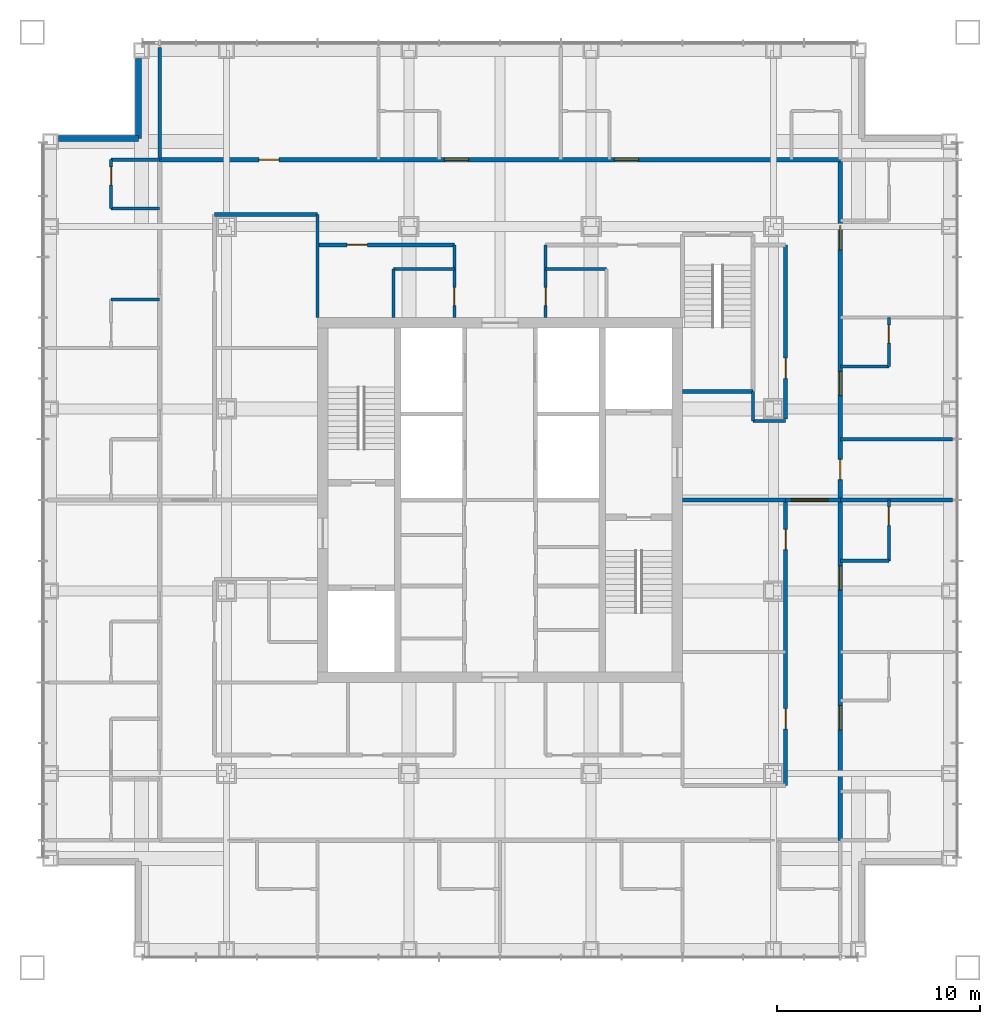
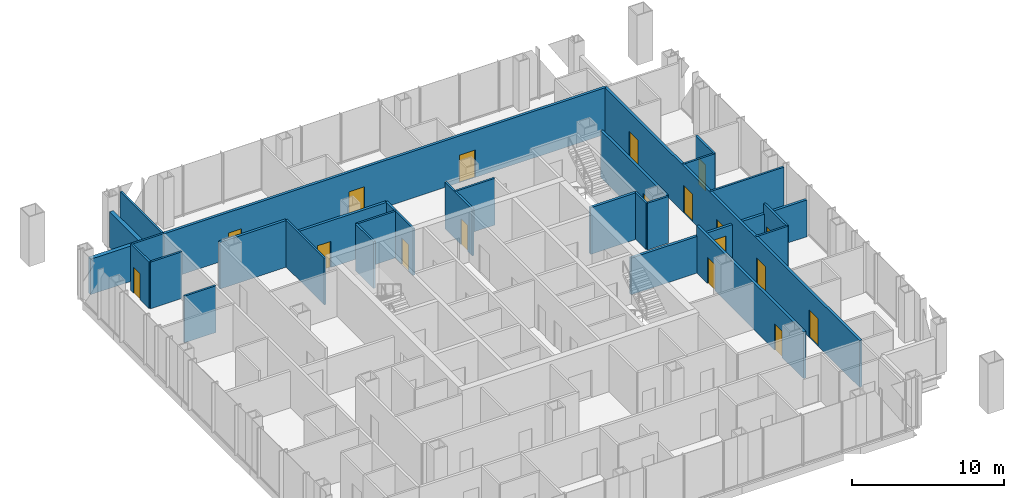
# One storey, part 9 of 15: 30 walls, 18 doors, 18 openings.
"""IFC4 building model written with IfcOpenShell, lengths in metres."""

import ifcopenshell
import ifcopenshell.guid

model = None  # the IFC model being written
_history = None  # IfcOwnerHistory: only IFC2X3 demands one
_inside = {}  # id of a spatial element -> (the spatial element, [elements in it])
_under = {}  # id of a project, library or spatial element -> (it, [spatial elements below it])
_declared = {}  # id of a project -> (the project, [libraries it declares])
_typed = {}  # id of a type object -> (the type object, [elements of that type])
_made_of = {}  # id of a material, layer set ... -> (it, [elements and type objects made of it])


def new_model(schema):
    """Start an empty IFC model of exactly this schema.

    Asked for "IFC4X3", IfcOpenShell would pick the latest addendum, in which some entities
    have other attributes; the version numbers below select the first issue.
    IFC2X3 requires an IfcOwnerHistory on every rooted entity: one is made here for all.
    """
    global model, _history
    if schema == "IFC4X3":
        model = ifcopenshell.file(schema_version=(4, 3, 0, 0))
    else:
        model = ifcopenshell.file(schema=schema)
    _inside.clear()
    _under.clear()
    _declared.clear()
    _typed.clear()
    _made_of.clear()
    _history = None
    if model.schema == "IFC2X3":
        org = make("IfcOrganization", Name="unknown")
        user = make(
            "IfcPersonAndOrganization",
            ThePerson=make("IfcPerson", FamilyName="unknown"),
            TheOrganization=org,
        )
        app = make(
            "IfcApplication",
            ApplicationDeveloper=org,
            Version="unknown",
            ApplicationFullName="unknown",
            ApplicationIdentifier="unknown",
        )
        _history = make(
            "IfcOwnerHistory",
            OwningUser=user,
            OwningApplication=app,
            ChangeAction="ADDED",
            CreationDate=0,
        )
    return model


def make(cls, **values):
    """One entity of the class cls with the attributes given. An attribute that is None is left unset."""
    return model.create_entity(
        cls, **{name: value for name, value in values.items() if value is not None}
    )


def rooted(cls, **values):
    """An entity with a GlobalId (a new one), such as an element, a storey or a relation."""
    return make(cls, GlobalId=ifcopenshell.guid.new(), OwnerHistory=_history, **values)


def si_unit(unit_type, name, prefix=None):
    """IfcSIUnit, for example si_unit("LENGTHUNIT", "METRE", prefix="MILLI")."""
    return make("IfcSIUnit", UnitType=unit_type, Prefix=prefix, Name=name)


def assignment(units):
    """IfcUnitAssignment: the units of a project."""
    return None if units is None else make("IfcUnitAssignment", Units=units)


def point(xyz):
    """IfcCartesianPoint."""
    return None if xyz is None else make("IfcCartesianPoint", Coordinates=xyz)


def direction(xyz):
    """IfcDirection."""
    return None if xyz is None else make("IfcDirection", DirectionRatios=xyz)


def frame(location, z_axis=None, x_axis=None):
    """IfcAxis2Placement3D, a coordinate frame: its origin and axes. An axis left out is left unset."""
    return make(
        "IfcAxis2Placement3D",
        Location=point(location),
        Axis=direction(z_axis),
        RefDirection=direction(x_axis),
    )


def frame_2d(location, x_axis=None):
    """IfcAxis2Placement2D, a coordinate frame in the plane: its origin and x axis."""
    return make(
        "IfcAxis2Placement2D", Location=point(location), RefDirection=direction(x_axis)
    )


def origin():
    """The frame at (0, 0, 0) with its axes left unset."""
    return frame((0.0, 0.0, 0.0))


def place(relative_to, where):
    """IfcLocalPlacement: puts the frame where relative to a parent placement (None: the world)."""
    return make(
        "IfcLocalPlacement", PlacementRelTo=relative_to, RelativePlacement=where
    )


def context(
    kind, dimensions, precision=None, world=None, true_north=None, identifier=None
):
    """IfcGeometricRepresentationContext, for example the 3D "Model" context."""
    return make(
        "IfcGeometricRepresentationContext",
        ContextIdentifier=identifier,
        ContextType=kind,
        CoordinateSpaceDimension=dimensions,
        Precision=precision,
        WorldCoordinateSystem=world,
        TrueNorth=true_north,
    )


def subcontext(parent, identifier, kind, view, scale=None):
    """IfcGeometricRepresentationSubContext, for example "Body" below "Model"."""
    return make(
        "IfcGeometricRepresentationSubContext",
        ContextIdentifier=identifier,
        ContextType=kind,
        ParentContext=parent,
        TargetScale=scale,
        TargetView=view,
    )


def project(units=None, contexts=None):
    """IfcProject with its units and contexts."""
    return rooted(
        "IfcProject",
        Name="project",
        RepresentationContexts=contexts,
        UnitsInContext=assignment(units),
    )


def spatial(cls, under=None, at=None, **own):
    """A site, building, storey or space (cls), placed at a placement, below another one or the project."""
    s = rooted(cls, ObjectPlacement=at, **own)
    if under is not None:
        _under.setdefault(under.id(), (under, []))[1].append(s)
    return s


def profile(cls, at=None, kind="AREA", **sizes):
    """A parametric profile (cls). Its sizes go by their IFC names, for example OverallWidth=200.0."""
    return make(cls, ProfileType=kind, Position=at, **sizes)


def rectangle(**sizes):
    """IfcRectangleProfileDef."""
    return profile("IfcRectangleProfileDef", **sizes)


def extrude(swept, where, along, depth):
    """IfcExtrudedAreaSolid: the profile swept, set in the frame where, extruded along a direction by depth."""
    return make(
        "IfcExtrudedAreaSolid",
        SweptArea=swept,
        Position=where,
        ExtrudedDirection=direction(along),
        Depth=depth,
    )


def shape(context_of_items, identifier, shape_type, items):
    """IfcShapeRepresentation: the items that make up one representation, for example the "Body"."""
    return make(
        "IfcShapeRepresentation",
        ContextOfItems=context_of_items,
        RepresentationIdentifier=identifier,
        RepresentationType=shape_type,
        Items=items,
    )


def material(Name=None, Category=None):
    """IfcMaterial."""
    return make("IfcMaterial", Name=Name, Category=Category)


def layer(
    of_material, thickness, ventilated=None, Name=None, Category=None, Priority=None
):
    """IfcMaterialLayer: one layer of a wall or slab, of a material (None: an air gap)."""
    return make(
        "IfcMaterialLayer",
        Material=of_material,
        LayerThickness=thickness,
        IsVentilated=ventilated,
        Name=Name,
        Category=Category,
        Priority=Priority,
    )


def layer_set(layers, Name=None):
    """IfcMaterialLayerSet."""
    return make("IfcMaterialLayerSet", MaterialLayers=layers, LayerSetName=Name)


def made_of(thing, what):
    """Note that an element or type object is made of a material, layer set ...; save() writes the relation."""
    if what is not None:
        _made_of.setdefault(what.id(), (what, []))[1].append(thing)
    return thing


def type_object(cls, material=None, **own):
    """A type object (cls), such as IfcWallType, which elements share."""
    return made_of(rooted(cls, **own), material)


def element(
    cls,
    number,
    at=None,
    inside=None,
    cuts=None,
    type_object=None,
    material=None,
    context=None,
    identifier="Body",
    shape_type=None,
    held_by="IfcProductDefinitionShape",
    body=None,
    shapes=None,
    **own,
):
    """One element of the class cls, such as IfcWall. Its Tag is "e" and its number.

    at: its placement. inside: the storey or other place that contains it. cuts: it is an
    opening in that element (IfcRelVoidsElement). A single representation is given by context,
    identifier, shape_type and body (its items); several are given by shapes. held_by: the class
    of the entity that holds the representations. save() writes the other relations.
    """
    e = rooted(cls, Tag="e%d" % number, ObjectPlacement=at, **own)
    if body is not None:
        shapes = [shape(context, identifier, shape_type, body)]
    if shapes is not None:
        e.Representation = make(held_by, Representations=shapes)
    if inside is not None:
        _inside.setdefault(inside.id(), (inside, []))[1].append(e)
    if cuts is not None:
        rooted(
            "IfcRelVoidsElement", RelatingBuildingElement=cuts, RelatedOpeningElement=e
        )
    if type_object is not None:
        _typed.setdefault(type_object.id(), (type_object, []))[1].append(e)
    return made_of(e, material)


def fill(opening, filler):
    """IfcRelFillsElement: the door or window that sits in an opening."""
    return rooted(
        "IfcRelFillsElement",
        RelatingOpeningElement=opening,
        RelatedBuildingElement=filler,
    )


def aggregate(whole, parts):
    """IfcRelAggregates: a whole, such as a stair, and the parts it consists of."""
    return rooted("IfcRelAggregates", RelatingObject=whole, RelatedObjects=parts)


def save(model, path):
    """Write the relations noted so far, then the file.

    IfcRelAggregates (storeys below a building ...), IfcRelContainedInSpatialStructure (elements
    in a storey), IfcRelDefinesByType, IfcRelAssociatesMaterial and IfcRelDeclares: one each for
    every whole, place, type object, material and project.
    """
    for whole, parts in _under.values():
        aggregate(whole, parts)
    for where, things in _inside.values():
        rooted(
            "IfcRelContainedInSpatialStructure",
            RelatedElements=things,
            RelatingStructure=where,
        )
    for kind, things in _typed.values():
        rooted("IfcRelDefinesByType", RelatedObjects=things, RelatingType=kind)
    for what, things in _made_of.values():
        rooted("IfcRelAssociatesMaterial", RelatedObjects=things, RelatingMaterial=what)
    for by, libraries in _declared.values():
        rooted("IfcRelDeclares", RelatingContext=by, RelatedDefinitions=libraries)
    model.write(path)


model = new_model("IFC4")

# Units and contexts
model_context = context("Model", 3, precision=1e-05, world=origin(), true_north=direction((0.0, 1.0)))
body_context = subcontext(model_context, "Body", "Model", "MODEL_VIEW")
ifc_project = project(units=[si_unit("LENGTHUNIT", "METRE"), si_unit("AREAUNIT", "SQUARE_METRE"), si_unit("VOLUMEUNIT", "CUBIC_METRE"), si_unit("PLANEANGLEUNIT", "RADIAN"), si_unit("MASSUNIT", "GRAM", prefix="KILO")], contexts=[model_context])

# Site, building, storey
site_placement = place(None, origin())
site = spatial("IfcSite", under=ifc_project, at=site_placement, CompositionType="ELEMENT")
building_placement = place(site_placement, origin())
building = spatial("IfcBuilding", under=site, at=building_placement, Name="Malebo Sky Hospital", CompositionType="ELEMENT")
storey_placement = place(building_placement, frame((0.0, 0.0, 217.0)))
storey = spatial("IfcBuildingStorey", under=building, at=storey_placement, Name="L52", CompositionType="ELEMENT", Elevation=217.0)

# Wall, openings, doors
ifc_material_1 = material(Name="Gypsum board on steel studs", Category="steel")
ifc_layer_1 = layer(ifc_material_1, 0.199951171875)
ifc_layer_set_1 = layer_set([ifc_layer_1], Name="CORRIDOR WALL 200")
wall_type_1 = type_object("IfcWallType", Name="CORRIDOR WALL 200", PredefinedType="PARTITIONING", material=ifc_layer_set_1)
wall_1_placement = place(storey_placement, frame((43.199951171875, 78.800048828125, 0.0), z_axis=(0.0, 0.0, 1.0), x_axis=(1.0, 0.0, 0.0)))
wall_1 = element("IfcWall", 1, at=wall_1_placement, inside=storey, type_object=wall_type_1, Name="Corridor Wall 200 NCO", PredefinedType="PARTITIONING", context=body_context, shape_type="SweptSolid", body=[
    extrude(rectangle(XDim=33.60009765625, YDim=0.199951171875, at=frame_2d((16.800048828125, 0.0))), origin(), (0.0, 0.0, 1.0), 3.75),
])
opening_1_placement = place(wall_1_placement, frame((4.89990234375, 0.0, 0.0)))
opening_1 = element("IfcOpeningElement", 2, at=opening_1_placement, cuts=wall_1, Name="Opening D03", PredefinedType="OPENING", context=body_context, shape_type="SweptSolid", body=[
    extrude(rectangle(XDim=1.0, YDim=2.10009765625, at=frame_2d((0.5, 1.050048828125))), frame((0.0, 0.10986328125, 0.0), z_axis=(0.0, -1.0, 0.0), x_axis=(1.0, 0.0, 0.0)), (0.0, 0.0, 1.0), 0.219970703125),
])
opening_2_placement = place(wall_1_placement, frame((14.050048828125, 0.0, 0.0)))
opening_2 = element("IfcOpeningElement", 3, at=opening_2_placement, cuts=wall_1, Name="Opening D01", PredefinedType="OPENING", context=body_context, shape_type="SweptSolid", body=[
    extrude(rectangle(XDim=1.199951171875, YDim=2.199951171875, at=frame_2d((0.60009765625, 1.10009765625))), frame((0.0, 0.10986328125, 0.0), z_axis=(0.0, -1.0, 0.0), x_axis=(1.0, 0.0, 0.0)), (0.0, 0.0, 1.0), 0.219970703125),
])
opening_3_placement = place(wall_1_placement, frame((22.449951171875, 0.0, 0.0)))
opening_3 = element("IfcOpeningElement", 4, at=opening_3_placement, cuts=wall_1, Name="Opening D01", PredefinedType="OPENING", context=body_context, shape_type="SweptSolid", body=[
    extrude(rectangle(XDim=1.199951171875, YDim=2.199951171875, at=frame_2d((0.60009765625, 1.10009765625))), frame((0.0, 0.10986328125, 0.0), z_axis=(0.0, -1.0, 0.0), x_axis=(1.0, 0.0, 0.0)), (0.0, 0.0, 1.0), 0.219970703125),
])
ifc_material_2 = material(Name="Hardwood-faced door leaf in steel frame", Category="steel")
door_type_1 = type_object("IfcDoorType", Name="BED DOOR 1200", OperationType="SINGLE_SWING_LEFT", PredefinedType="DOOR", material=ifc_material_2)
door_1_placement = place(opening_2_placement, origin())
door_1 = element("IfcDoor", 5, at=door_1_placement, inside=storey, type_object=door_type_1, Name="Two-bed room door", OperationType="SINGLE_SWING_LEFT", OverallHeight=2.199951171875, OverallWidth=1.199951171875, PredefinedType="DOOR", context=body_context, shape_type="SweptSolid", body=[
    extrude(rectangle(XDim=1.199951171875, YDim=2.199951171875, at=frame_2d((0.60009765625, 1.10009765625))), frame((0.0, 0.02490234375, 0.0), z_axis=(0.0, -1.0, 0.0), x_axis=(1.0, 0.0, 0.0)), (0.0, 0.0, 1.0), 0.050048828125),
])
fill(opening_2, door_1)
door_2_placement = place(opening_3_placement, origin())
door_2 = element("IfcDoor", 6, at=door_2_placement, inside=storey, type_object=door_type_1, Name="Four-bed bay door", OperationType="SINGLE_SWING_LEFT", OverallHeight=2.199951171875, OverallWidth=1.199951171875, PredefinedType="DOOR", context=body_context, shape_type="SweptSolid", body=[
    extrude(rectangle(XDim=1.199951171875, YDim=2.199951171875, at=frame_2d((0.60009765625, 1.10009765625))), frame((0.0, 0.02490234375, 0.0), z_axis=(0.0, -1.0, 0.0), x_axis=(1.0, 0.0, 0.0)), (0.0, 0.0, 1.0), 0.050048828125),
])
fill(opening_3, door_2)
door_type_2 = type_object("IfcDoorType", Name="ROOM DOOR 1000", OperationType="SINGLE_SWING_LEFT", PredefinedType="DOOR", material=ifc_material_2)
door_3_placement = place(opening_1_placement, origin())
door_3 = element("IfcDoor", 7, at=door_3_placement, inside=storey, type_object=door_type_2, Name="Play room door", OperationType="SINGLE_SWING_LEFT", OverallHeight=2.10009765625, OverallWidth=1.0, PredefinedType="DOOR", context=body_context, shape_type="SweptSolid", body=[
    extrude(rectangle(XDim=1.0, YDim=2.10009765625, at=frame_2d((0.5, 1.050048828125))), frame((0.0, 0.02490234375, 0.0), z_axis=(0.0, -1.0, 0.0), x_axis=(1.0, 0.0, 0.0)), (0.0, 0.0, 1.0), 0.050048828125),
])
fill(opening_1, door_3)

# Wall
wall_2_placement = place(storey_placement, frame((45.89990234375, 76.10009765625, 0.0), z_axis=(0.0, 0.0, 1.0), x_axis=(1.0, 0.0, 0.0)))
element("IfcWall", 8, at=wall_2_placement, inside=storey, type_object=wall_type_1, Name="Corridor Wall 200 NCIK", PredefinedType="PARTITIONING", context=body_context, shape_type="SweptSolid", body=[
    extrude(rectangle(XDim=5.10009765625, YDim=0.199951171875, at=frame_2d((2.550048828125, 0.0))), origin(), (0.0, 0.0, 1.0), 3.75),
])

# Wall, opening, door
wall_3_placement = place(storey_placement, frame((51.0, 74.60009765625, 0.0), z_axis=(0.0, 0.0, 1.0), x_axis=(1.0, 0.0, 0.0)))
wall_3 = element("IfcWall", 9, at=wall_3_placement, inside=storey, type_object=wall_type_1, Name="Corridor Wall 200 NCI1", PredefinedType="PARTITIONING", context=body_context, shape_type="SweptSolid", body=[
    extrude(rectangle(XDim=6.75, YDim=0.199951171875, at=frame_2d((3.375, 0.0))), origin(), (0.0, 0.0, 1.0), 3.75),
])
opening_4_placement = place(wall_3_placement, frame((1.449951171875, 0.0, 0.0)))
opening_4 = element("IfcOpeningElement", 10, at=opening_4_placement, cuts=wall_3, Name="Opening D03", PredefinedType="OPENING", context=body_context, shape_type="SweptSolid", body=[
    extrude(rectangle(XDim=1.0, YDim=2.10009765625, at=frame_2d((0.5, 1.050048828125))), frame((0.0, 0.10986328125, 0.0), z_axis=(0.0, -1.0, 0.0), x_axis=(1.0, 0.0, 0.0)), (0.0, 0.0, 1.0), 0.219970703125),
])
door_4_placement = place(opening_4_placement, origin())
door_4 = element("IfcDoor", 11, at=door_4_placement, inside=storey, type_object=door_type_2, Name="Sensory room door", OperationType="SINGLE_SWING_LEFT", OverallHeight=2.10009765625, OverallWidth=1.0, PredefinedType="DOOR", context=body_context, shape_type="SweptSolid", body=[
    extrude(rectangle(XDim=1.0, YDim=2.10009765625, at=frame_2d((0.5, 1.050048828125))), frame((0.0, 0.02490234375, 0.0), z_axis=(0.0, -1.0, 0.0), x_axis=(1.0, 0.0, 0.0)), (0.0, 0.0, 1.0), 0.050048828125),
])
fill(opening_4, door_4)

# Wall, openings, doors
wall_4_placement = place(storey_placement, frame((76.800048828125, 78.800048828125, 0.0), z_axis=(0.0, 0.0, 1.0), x_axis=(0.0, -1.0, 0.0)))
wall_4 = element("IfcWall", 12, at=wall_4_placement, inside=storey, type_object=wall_type_1, Name="Corridor Wall 200 ECO", PredefinedType="PARTITIONING", context=body_context, shape_type="SweptSolid", body=[
    extrude(rectangle(XDim=33.60009765625, YDim=0.199951171875, at=frame_2d((16.800048828125, 0.0))), origin(), (0.0, 0.0, 1.0), 3.75),
])
opening_5_placement = place(wall_4_placement, frame((3.25, 0.0, 0.0)))
opening_5 = element("IfcOpeningElement", 13, at=opening_5_placement, cuts=wall_4, Name="Opening D01", PredefinedType="OPENING", context=body_context, shape_type="SweptSolid", body=[
    extrude(rectangle(XDim=1.199951171875, YDim=2.199951171875, at=frame_2d((0.60009765625, 1.10009765625))), frame((0.0, 0.10986328125, 0.0), z_axis=(0.0, -1.0, 0.0), x_axis=(1.0, 0.0, 0.0)), (0.0, 0.0, 1.0), 0.219970703125),
])
opening_6_placement = place(wall_4_placement, frame((10.449951171875, 0.0, 0.0)))
opening_6 = element("IfcOpeningElement", 14, at=opening_6_placement, cuts=wall_4, Name="Opening D01", PredefinedType="OPENING", context=body_context, shape_type="SweptSolid", body=[
    extrude(rectangle(XDim=1.199951171875, YDim=2.199951171875, at=frame_2d((0.60009765625, 1.10009765625))), frame((0.0, 0.10986328125, 0.0), z_axis=(0.0, -1.0, 0.0), x_axis=(1.0, 0.0, 0.0)), (0.0, 0.0, 1.0), 0.219970703125),
])
opening_7_placement = place(wall_4_placement, frame((14.800048828125, 0.0, 0.0)))
opening_7 = element("IfcOpeningElement", 15, at=opening_7_placement, cuts=wall_4, Name="Opening D03", PredefinedType="OPENING", context=body_context, shape_type="SweptSolid", body=[
    extrude(rectangle(XDim=1.0, YDim=2.10009765625, at=frame_2d((0.5, 1.050048828125))), frame((0.0, 0.10986328125, 0.0), z_axis=(0.0, -1.0, 0.0), x_axis=(1.0, 0.0, 0.0)), (0.0, 0.0, 1.0), 0.219970703125),
])
opening_8_placement = place(wall_4_placement, frame((20.050048828125, 0.0, 0.0)))
opening_8 = element("IfcOpeningElement", 16, at=opening_8_placement, cuts=wall_4, Name="Opening D01", PredefinedType="OPENING", context=body_context, shape_type="SweptSolid", body=[
    extrude(rectangle(XDim=1.199951171875, YDim=2.199951171875, at=frame_2d((0.60009765625, 1.10009765625))), frame((0.0, 0.10986328125, 0.0), z_axis=(0.0, -1.0, 0.0), x_axis=(1.0, 0.0, 0.0)), (0.0, 0.0, 1.0), 0.219970703125),
])
opening_9_placement = place(wall_4_placement, frame((26.949951171875, 0.0, 0.0)))
opening_9 = element("IfcOpeningElement", 17, at=opening_9_placement, cuts=wall_4, Name="Opening D01", PredefinedType="OPENING", context=body_context, shape_type="SweptSolid", body=[
    extrude(rectangle(XDim=1.199951171875, YDim=2.199951171875, at=frame_2d((0.60009765625, 1.10009765625))), frame((0.0, 0.10986328125, 0.0), z_axis=(0.0, -1.0, 0.0), x_axis=(1.0, 0.0, 0.0)), (0.0, 0.0, 1.0), 0.219970703125),
])
door_5_placement = place(opening_5_placement, origin())
door_5 = element("IfcDoor", 18, at=door_5_placement, inside=storey, type_object=door_type_1, Name="Two-bed room door", OperationType="SINGLE_SWING_LEFT", OverallHeight=2.199951171875, OverallWidth=1.199951171875, PredefinedType="DOOR", context=body_context, shape_type="SweptSolid", body=[
    extrude(rectangle(XDim=1.199951171875, YDim=2.199951171875, at=frame_2d((0.60009765625, 1.10009765625))), frame((0.0, 0.02490234375, 0.0), z_axis=(0.0, -1.0, 0.0), x_axis=(1.0, 0.0, 0.0)), (0.0, 0.0, 1.0), 0.050048828125),
])
fill(opening_5, door_5)
door_6_placement = place(opening_6_placement, origin())
door_6 = element("IfcDoor", 19, at=door_6_placement, inside=storey, type_object=door_type_1, Name="Parent room door", OperationType="SINGLE_SWING_LEFT", OverallHeight=2.199951171875, OverallWidth=1.199951171875, PredefinedType="DOOR", context=body_context, shape_type="SweptSolid", body=[
    extrude(rectangle(XDim=1.199951171875, YDim=2.199951171875, at=frame_2d((0.60009765625, 1.10009765625))), frame((0.0, 0.02490234375, 0.0), z_axis=(0.0, -1.0, 0.0), x_axis=(1.0, 0.0, 0.0)), (0.0, 0.0, 1.0), 0.050048828125),
])
fill(opening_6, door_6)
door_7_placement = place(opening_8_placement, origin())
door_7 = element("IfcDoor", 20, at=door_7_placement, inside=storey, type_object=door_type_1, Name="Two-bed room door", OperationType="SINGLE_SWING_LEFT", OverallHeight=2.199951171875, OverallWidth=1.199951171875, PredefinedType="DOOR", context=body_context, shape_type="SweptSolid", body=[
    extrude(rectangle(XDim=1.199951171875, YDim=2.199951171875, at=frame_2d((0.60009765625, 1.10009765625))), frame((0.0, 0.02490234375, 0.0), z_axis=(0.0, -1.0, 0.0), x_axis=(1.0, 0.0, 0.0)), (0.0, 0.0, 1.0), 0.050048828125),
])
fill(opening_8, door_7)
door_8_placement = place(opening_9_placement, origin())
door_8 = element("IfcDoor", 21, at=door_8_placement, inside=storey, type_object=door_type_1, Name="Four-bed bay door", OperationType="SINGLE_SWING_LEFT", OverallHeight=2.199951171875, OverallWidth=1.199951171875, PredefinedType="DOOR", context=body_context, shape_type="SweptSolid", body=[
    extrude(rectangle(XDim=1.199951171875, YDim=2.199951171875, at=frame_2d((0.60009765625, 1.10009765625))), frame((0.0, 0.02490234375, 0.0), z_axis=(0.0, -1.0, 0.0), x_axis=(1.0, 0.0, 0.0)), (0.0, 0.0, 1.0), 0.050048828125),
])
fill(opening_9, door_8)
door_9_placement = place(opening_7_placement, origin())
door_9 = element("IfcDoor", 22, at=door_9_placement, inside=storey, type_object=door_type_2, Name="Play therapy room door", OperationType="SINGLE_SWING_RIGHT", OverallHeight=2.10009765625, OverallWidth=1.0, PredefinedType="DOOR", context=body_context, shape_type="SweptSolid", body=[
    extrude(rectangle(XDim=1.0, YDim=2.10009765625, at=frame_2d((0.5, 1.050048828125))), frame((0.0, 0.02490234375, 0.0), z_axis=(0.0, -1.0, 0.0), x_axis=(1.0, 0.0, 0.0)), (0.0, 0.0, 1.0), 0.050048828125),
])
fill(opening_7, door_9)

# Wall, opening, door
wall_5_placement = place(storey_placement, frame((74.10009765625, 74.60009765625, 0.0), z_axis=(0.0, 0.0, 1.0), x_axis=(0.0, -1.0, 0.0)))
wall_5 = element("IfcWall", 23, at=wall_5_placement, inside=storey, type_object=wall_type_1, Name="Corridor Wall 200 ECI1", PredefinedType="PARTITIONING", context=body_context, shape_type="SweptSolid", body=[
    extrude(rectangle(XDim=8.60009765625, YDim=0.199951171875, at=frame_2d((4.300048828125, 0.0))), origin(), (0.0, 0.0, 1.0), 3.75),
])
opening_10_placement = place(wall_5_placement, frame((5.60009765625, 0.0, 0.0)))
opening_10 = element("IfcOpeningElement", 24, at=opening_10_placement, cuts=wall_5, Name="Opening D03", PredefinedType="OPENING", context=body_context, shape_type="SweptSolid", body=[
    extrude(rectangle(XDim=1.0, YDim=2.10009765625, at=frame_2d((0.5, 1.050048828125))), frame((0.0, 0.10986328125, 0.0), z_axis=(0.0, -1.0, 0.0), x_axis=(1.0, 0.0, 0.0)), (0.0, 0.0, 1.0), 0.219970703125),
])
door_10_placement = place(opening_10_placement, origin())
door_10 = element("IfcDoor", 25, at=door_10_placement, inside=storey, type_object=door_type_2, Name="Dirty utility room door", OperationType="SINGLE_SWING_RIGHT", OverallHeight=2.10009765625, OverallWidth=1.0, PredefinedType="DOOR", context=body_context, shape_type="SweptSolid", body=[
    extrude(rectangle(XDim=1.0, YDim=2.10009765625, at=frame_2d((0.5, 1.050048828125))), frame((0.0, 0.02490234375, 0.0), z_axis=(0.0, -1.0, 0.0), x_axis=(1.0, 0.0, 0.0)), (0.0, 0.0, 1.0), 0.050048828125),
])
fill(opening_10, door_10)

# Wall, openings, doors
wall_6_placement = place(storey_placement, frame((74.10009765625, 62.0, 0.0), z_axis=(0.0, 0.0, 1.0), x_axis=(0.0, -1.0, 0.0)))
wall_6 = element("IfcWall", 26, at=wall_6_placement, inside=storey, type_object=wall_type_1, Name="Corridor Wall 200 ECI2", PredefinedType="PARTITIONING", context=body_context, shape_type="SweptSolid", body=[
    extrude(rectangle(XDim=14.10009765625, YDim=0.199951171875, at=frame_2d((7.050048828125, 0.0))), origin(), (0.0, 0.0, 1.0), 3.75),
])
opening_11_placement = place(wall_6_placement, frame((1.449951171875, 0.0, 0.0)))
opening_11 = element("IfcOpeningElement", 27, at=opening_11_placement, cuts=wall_6, Name="Opening D03", PredefinedType="OPENING", context=body_context, shape_type="SweptSolid", body=[
    extrude(rectangle(XDim=1.0, YDim=2.10009765625, at=frame_2d((0.5, 1.050048828125))), frame((0.0, 0.10986328125, 0.0), z_axis=(0.0, -1.0, 0.0), x_axis=(1.0, 0.0, 0.0)), (0.0, 0.0, 1.0), 0.219970703125),
])
opening_12_placement = place(wall_6_placement, frame((10.300048828125, 0.0, 0.0)))
opening_12 = element("IfcOpeningElement", 28, at=opening_12_placement, cuts=wall_6, Name="Opening D03", PredefinedType="OPENING", context=body_context, shape_type="SweptSolid", body=[
    extrude(rectangle(XDim=1.0, YDim=2.10009765625, at=frame_2d((0.5, 1.050048828125))), frame((0.0, 0.10986328125, 0.0), z_axis=(0.0, -1.0, 0.0), x_axis=(1.0, 0.0, 0.0)), (0.0, 0.0, 1.0), 0.219970703125),
])
door_11_placement = place(opening_11_placement, origin())
door_11 = element("IfcDoor", 29, at=door_11_placement, inside=storey, type_object=door_type_2, Name="Staff rest room door", OperationType="SINGLE_SWING_LEFT", OverallHeight=2.10009765625, OverallWidth=1.0, PredefinedType="DOOR", context=body_context, shape_type="SweptSolid", body=[
    extrude(rectangle(XDim=1.0, YDim=2.10009765625, at=frame_2d((0.5, 1.050048828125))), frame((0.0, 0.02490234375, 0.0), z_axis=(0.0, -1.0, 0.0), x_axis=(1.0, 0.0, 0.0)), (0.0, 0.0, 1.0), 0.050048828125),
])
fill(opening_11, door_11)
door_12_placement = place(opening_12_placement, origin())
door_12 = element("IfcDoor", 30, at=door_12_placement, inside=storey, type_object=door_type_2, Name="Staff base door", OperationType="SINGLE_SWING_RIGHT", OverallHeight=2.10009765625, OverallWidth=1.0, PredefinedType="DOOR", context=body_context, shape_type="SweptSolid", body=[
    extrude(rectangle(XDim=1.0, YDim=2.10009765625, at=frame_2d((0.5, 1.050048828125))), frame((0.0, 0.02490234375, 0.0), z_axis=(0.0, -1.0, 0.0), x_axis=(1.0, 0.0, 0.0)), (0.0, 0.0, 1.0), 0.050048828125),
])
fill(opening_12, door_12)

# Walls
ifc_material_3 = material(Name="Anodised aluminium rainscreen on steel framing", Category="steel")
ifc_layer_2 = layer(ifc_material_3, 0.300048828125)
ifc_layer_set_2 = layer_set([ifc_layer_2], Name="NOTCH RAINSCREEN WALL 300")
wall_type_2 = type_object("IfcWallType", Name="NOTCH RAINSCREEN WALL 300", PredefinedType="ELEMENTEDWALL", material=ifc_layer_set_2)
for number, where, z_axis, x_axis, name in (
    (31, (38.199951171875, 79.85009765625, 0.0), (0.0, 0.0, 1.0), (1.0, 0.0, 0.0), "Notch rainscreen wall W1 L52"),
    (32, (42.14990234375, 79.85009765625, 0.0), (0.0, 0.0, 1.0), (0.0, 1.0, 0.0), "Notch rainscreen wall W2 L52"),
):
    element("IfcWall", number, at=place(storey_placement, frame(where, z_axis=z_axis, x_axis=x_axis)), inside=storey, type_object=wall_type_2, Name=name, PredefinedType="ELEMENTEDWALL", context=body_context, shape_type="SweptSolid", body=[
        extrude(rectangle(XDim=3.949951171875, YDim=0.300048828125, at=frame_2d((1.97509765625, 0.0))), origin(), (0.0, 0.0, 1.0), 2.85009765625),
    ])
ifc_layer_3 = layer(ifc_material_1, 0.14990234375)
ifc_layer_set_3 = layer_set([ifc_layer_3], Name="PARTITION 150")
wall_type_3 = type_object("IfcWallType", Name="PARTITION 150", PredefinedType="PARTITIONING", material=ifc_layer_set_3)
wall_7_placement = place(storey_placement, frame((43.199951171875, 78.800048828125, 0.0), z_axis=(0.0, 0.0, 1.0), x_axis=(0.0, 1.0, 0.0)))
element("IfcWall", 33, at=wall_7_placement, inside=storey, type_object=wall_type_3, Name="Partition 150 NP0", PredefinedType="PARTITIONING", context=body_context, shape_type="SweptSolid", body=[
    extrude(rectangle(XDim=5.550048828125, YDim=0.14990234375, at=frame_2d((2.77490234375, 0.0))), origin(), (0.0, 0.0, 1.0), 3.75),
])
wall_8_placement = place(storey_placement, frame((51.0, 71.0, 0.0), z_axis=(0.0, 0.0, 1.0), x_axis=(0.0, 1.0, 0.0)))
element("IfcWall", 34, at=wall_8_placement, inside=storey, type_object=wall_type_3, Name="Partition 150 NSP0", PredefinedType="PARTITIONING", context=body_context, shape_type="SweptSolid", body=[
    extrude(rectangle(XDim=5.10009765625, YDim=0.14990234375, at=frame_2d((2.550048828125, 0.0))), origin(), (0.0, 0.0, 1.0), 3.75),
])

# Wall, opening, door
wall_9_placement = place(storey_placement, frame((57.75, 71.0, 0.0), z_axis=(0.0, 0.0, 1.0), x_axis=(0.0, 1.0, 0.0)))
wall_9 = element("IfcWall", 35, at=wall_9_placement, inside=storey, type_object=wall_type_3, Name="Partition 150 NSPA", PredefinedType="PARTITIONING", context=body_context, shape_type="SweptSolid", body=[
    extrude(rectangle(XDim=3.60009765625, YDim=0.14990234375, at=frame_2d((1.800048828125, 0.0))), origin(), (0.0, 0.0, 1.0), 3.75),
])
opening_13_placement = place(wall_9_placement, frame((0.60009765625, 0.0, 0.0)))
opening_13 = element("IfcOpeningElement", 36, at=opening_13_placement, cuts=wall_9, Name="Opening D04", PredefinedType="OPENING", context=body_context, shape_type="SweptSolid", body=[
    extrude(rectangle(XDim=0.89990234375, YDim=2.10009765625, at=frame_2d((0.449951171875, 1.050048828125))), frame((0.0, 0.0849609375, 0.0), z_axis=(0.0, -1.0, 0.0), x_axis=(1.0, 0.0, 0.0)), (0.0, 0.0, 1.0), 0.169921875),
])
door_type_3 = type_object("IfcDoorType", Name="ROOM DOOR 900", OperationType="SINGLE_SWING_LEFT", PredefinedType="DOOR", material=ifc_material_2)
door_13_placement = place(opening_13_placement, origin())
door_13 = element("IfcDoor", 37, at=door_13_placement, inside=storey, type_object=door_type_3, Name="Staff WC door", OperationType="SINGLE_SWING_LEFT", OverallHeight=2.10009765625, OverallWidth=0.89990234375, PredefinedType="DOOR", context=body_context, shape_type="SweptSolid", body=[
    extrude(rectangle(XDim=0.89990234375, YDim=2.10009765625, at=frame_2d((0.449951171875, 1.050048828125))), frame((0.0, 0.02490234375, 0.0), z_axis=(0.0, -1.0, 0.0), x_axis=(1.0, 0.0, 0.0)), (0.0, 0.0, 1.0), 0.050048828125),
])
fill(opening_13, door_13)

wall_10_placement = place(storey_placement, frame((62.25, 71.0, 0.0), z_axis=(0.0, 0.0, 1.0), x_axis=(0.0, 1.0, 0.0)))
wall_10 = element("IfcWall", 38, at=wall_10_placement, inside=storey, type_object=wall_type_3, Name="Partition 150 NSPB", PredefinedType="PARTITIONING", context=body_context, shape_type="SweptSolid", body=[
    extrude(rectangle(XDim=3.60009765625, YDim=0.14990234375, at=frame_2d((1.800048828125, 0.0))), origin(), (0.0, 0.0, 1.0), 3.75),
])
opening_14_placement = place(wall_10_placement, frame((0.60009765625, 0.0, 0.0)))
opening_14 = element("IfcOpeningElement", 39, at=opening_14_placement, cuts=wall_10, Name="Opening D04", PredefinedType="OPENING", context=body_context, shape_type="SweptSolid", body=[
    extrude(rectangle(XDim=0.89990234375, YDim=2.10009765625, at=frame_2d((0.449951171875, 1.050048828125))), frame((0.0, 0.0849609375, 0.0), z_axis=(0.0, -1.0, 0.0), x_axis=(1.0, 0.0, 0.0)), (0.0, 0.0, 1.0), 0.169921875),
])
door_14_placement = place(opening_14_placement, origin())
door_14 = element("IfcDoor", 40, at=door_14_placement, inside=storey, type_object=door_type_3, Name="Accessible WC door", OperationType="SINGLE_SWING_LEFT", OverallHeight=2.10009765625, OverallWidth=0.89990234375, PredefinedType="DOOR", context=body_context, shape_type="SweptSolid", body=[
    extrude(rectangle(XDim=0.89990234375, YDim=2.10009765625, at=frame_2d((0.449951171875, 1.050048828125))), frame((0.0, 0.02490234375, 0.0), z_axis=(0.0, -1.0, 0.0), x_axis=(1.0, 0.0, 0.0)), (0.0, 0.0, 1.0), 0.050048828125),
])
fill(opening_14, door_14)

# Walls
wall_11_placement = place(storey_placement, frame((54.75, 73.39990234375, 0.0), z_axis=(0.0, 0.0, 1.0), x_axis=(1.0, 0.0, 0.0)))
element("IfcWall", 41, at=wall_11_placement, inside=storey, type_object=wall_type_3, Name="Partition 150 NSX0", PredefinedType="PARTITIONING", context=body_context, shape_type="SweptSolid", body=[
    extrude(rectangle(XDim=3.0, YDim=0.14990234375, at=frame_2d((1.5, 0.0))), origin(), (0.0, 0.0, 1.0), 3.75),
])
wall_12_placement = place(storey_placement, frame((54.75, 71.0, 0.0), z_axis=(0.0, 0.0, 1.0), x_axis=(0.0, 1.0, 0.0)))
element("IfcWall", 42, at=wall_12_placement, inside=storey, type_object=wall_type_3, Name="Partition 150 NSY0", PredefinedType="PARTITIONING", context=body_context, shape_type="SweptSolid", body=[
    extrude(rectangle(XDim=2.39990234375, YDim=0.14990234375, at=frame_2d((1.199951171875, 0.0))), origin(), (0.0, 0.0, 1.0), 3.75),
])
wall_13_placement = place(storey_placement, frame((62.25, 73.39990234375, 0.0), z_axis=(0.0, 0.0, 1.0), x_axis=(1.0, 0.0, 0.0)))
element("IfcWall", 43, at=wall_13_placement, inside=storey, type_object=wall_type_3, Name="Partition 150 NSX1", PredefinedType="PARTITIONING", context=body_context, shape_type="SweptSolid", body=[
    extrude(rectangle(XDim=3.0, YDim=0.14990234375, at=frame_2d((1.5, 0.0))), origin(), (0.0, 0.0, 1.0), 3.75),
])
wall_14_placement = place(storey_placement, frame((43.199951171875, 71.89990234375, 0.0), z_axis=(0.0, 0.0, 1.0), x_axis=(-1.0, 0.0, 0.0)))
element("IfcWall", 44, at=wall_14_placement, inside=storey, type_object=wall_type_3, Name="Partition 150 WE3S", PredefinedType="PARTITIONING", context=body_context, shape_type="SweptSolid", body=[
    extrude(rectangle(XDim=2.39990234375, YDim=0.14990234375, at=frame_2d((1.199951171875, 0.0))), origin(), (0.0, 0.0, 1.0), 3.75),
])

# Wall, opening, door
wall_15_placement = place(storey_placement, frame((40.800048828125, 76.39990234375, 0.0), z_axis=(0.0, 0.0, 1.0), x_axis=(0.0, 1.0, 0.0)))
wall_15 = element("IfcWall", 45, at=wall_15_placement, inside=storey, type_object=wall_type_3, Name="Partition 150 WG3F", PredefinedType="PARTITIONING", context=body_context, shape_type="SweptSolid", body=[
    extrude(rectangle(XDim=2.400146484375, YDim=0.14990234375, at=frame_2d((1.2001953125, 0.0))), origin(), (0.0, 0.0, 1.0), 3.75),
])
opening_15_placement = place(wall_15_placement, frame((1.14990234375, 0.0, 0.0)))
opening_15 = element("IfcOpeningElement", 46, at=opening_15_placement, cuts=wall_15, Name="Opening D02", PredefinedType="OPENING", context=body_context, shape_type="SweptSolid", body=[
    extrude(rectangle(XDim=0.89990234375, YDim=2.10009765625, at=frame_2d((0.449951171875, 1.050048828125))), frame((0.0, 0.0849609375, 0.0), z_axis=(0.0, -1.0, 0.0), x_axis=(1.0, 0.0, 0.0)), (0.0, 0.0, 1.0), 0.169921875),
])
door_type_4 = type_object("IfcDoorType", Name="EN-SUITE DOOR 900", OperationType="SINGLE_SWING_LEFT", PredefinedType="DOOR", material=ifc_material_2)
door_15_placement = place(opening_15_placement, origin())
door_15 = element("IfcDoor", 47, at=door_15_placement, inside=storey, type_object=door_type_4, Name="En-suite door", OperationType="SINGLE_SWING_RIGHT", OverallHeight=2.10009765625, OverallWidth=0.89990234375, PredefinedType="DOOR", context=body_context, shape_type="SweptSolid", body=[
    extrude(rectangle(XDim=0.89990234375, YDim=2.10009765625, at=frame_2d((0.449951171875, 1.050048828125))), frame((0.0, 0.02490234375, 0.0), z_axis=(0.0, -1.0, 0.0), x_axis=(1.0, 0.0, 0.0)), (0.0, 0.0, 1.0), 0.050048828125),
])
fill(opening_15, door_15)

# Walls
for number, where, z_axis, x_axis, name in (
    (48, (43.199951171875, 76.39990234375, 0.0), (0.0, 0.0, 1.0), (-1.0, 0.0, 0.0), "Partition 150 WG3S"),
    (49, (43.199951171875, 78.800048828125, 0.0), (0.0, 0.0, 1.0), (-1.0, 0.0, 0.0), "Partition 150 WEZ"),
):
    element("IfcWall", number, at=place(storey_placement, frame(where, z_axis=z_axis, x_axis=x_axis)), inside=storey, type_object=wall_type_3, Name=name, PredefinedType="PARTITIONING", context=body_context, shape_type="SweptSolid", body=[
        extrude(rectangle(XDim=2.39990234375, YDim=0.14990234375, at=frame_2d((1.199951171875, 0.0))), origin(), (0.0, 0.0, 1.0), 3.75),
    ])
wall_16_placement = place(storey_placement, frame((76.800048828125, 65.0, 0.0), z_axis=(0.0, 0.0, 1.0), x_axis=(1.0, 0.0, 0.0)))
element("IfcWall", 50, at=wall_16_placement, inside=storey, type_object=wall_type_3, Name="Partition 150 EP-3.0", PredefinedType="PARTITIONING", context=body_context, shape_type="SweptSolid", body=[
    extrude(rectangle(XDim=5.550048828125, YDim=0.14990234375, at=frame_2d((2.77490234375, 0.0))), origin(), (0.0, 0.0, 1.0), 3.75),
])

# Wall, opening, door
wall_17_placement = place(storey_placement, frame((79.199951171875, 71.0, 0.0), z_axis=(0.0, 0.0, 1.0), x_axis=(0.0, -1.0, 0.0)))
wall_17 = element("IfcWall", 51, at=wall_17_placement, inside=storey, type_object=wall_type_3, Name="Partition 150 EE1F", PredefinedType="PARTITIONING", context=body_context, shape_type="SweptSolid", body=[
    extrude(rectangle(XDim=2.39990234375, YDim=0.14990234375, at=frame_2d((1.199951171875, 0.0))), origin(), (0.0, 0.0, 1.0), 3.75),
])
opening_16_placement = place(wall_17_placement, frame((0.35009765625, 0.0, 0.0)))
opening_16 = element("IfcOpeningElement", 52, at=opening_16_placement, cuts=wall_17, Name="Opening D02", PredefinedType="OPENING", context=body_context, shape_type="SweptSolid", body=[
    extrude(rectangle(XDim=0.89990234375, YDim=2.10009765625, at=frame_2d((0.449951171875, 1.050048828125))), frame((0.0, 0.0849609375, 0.0), z_axis=(0.0, -1.0, 0.0), x_axis=(1.0, 0.0, 0.0)), (0.0, 0.0, 1.0), 0.169921875),
])
door_16_placement = place(opening_16_placement, origin())
door_16 = element("IfcDoor", 53, at=door_16_placement, inside=storey, type_object=door_type_4, Name="En-suite door", OperationType="SINGLE_SWING_LEFT", OverallHeight=2.10009765625, OverallWidth=0.89990234375, PredefinedType="DOOR", context=body_context, shape_type="SweptSolid", body=[
    extrude(rectangle(XDim=0.89990234375, YDim=2.10009765625, at=frame_2d((0.449951171875, 1.050048828125))), frame((0.0, 0.02490234375, 0.0), z_axis=(0.0, -1.0, 0.0), x_axis=(1.0, 0.0, 0.0)), (0.0, 0.0, 1.0), 0.050048828125),
])
fill(opening_16, door_16)

# Wall
wall_18_placement = place(storey_placement, frame((76.800048828125, 68.60009765625, 0.0), z_axis=(0.0, 0.0, 1.0), x_axis=(1.0, 0.0, 0.0)))
element("IfcWall", 54, at=wall_18_placement, inside=storey, type_object=wall_type_3, Name="Partition 150 EE1S", PredefinedType="PARTITIONING", context=body_context, shape_type="SweptSolid", body=[
    extrude(rectangle(XDim=2.39990234375, YDim=0.14990234375, at=frame_2d((1.199951171875, 0.0))), origin(), (0.0, 0.0, 1.0), 3.75),
])

# Wall, opening, door
wall_19_placement = place(storey_placement, frame((79.199951171875, 62.0, 0.0), z_axis=(0.0, 0.0, 1.0), x_axis=(0.0, -1.0, 0.0)))
wall_19 = element("IfcWall", 55, at=wall_19_placement, inside=storey, type_object=wall_type_3, Name="Partition 150 EE3F", PredefinedType="PARTITIONING", context=body_context, shape_type="SweptSolid", body=[
    extrude(rectangle(XDim=3.0, YDim=0.14990234375, at=frame_2d((1.5, 0.0))), origin(), (0.0, 0.0, 1.0), 3.75),
])
opening_17_placement = place(wall_19_placement, frame((0.35009765625, 0.0, 0.0)))
opening_17 = element("IfcOpeningElement", 56, at=opening_17_placement, cuts=wall_19, Name="Opening D02", PredefinedType="OPENING", context=body_context, shape_type="SweptSolid", body=[
    extrude(rectangle(XDim=0.89990234375, YDim=2.10009765625, at=frame_2d((0.449951171875, 1.050048828125))), frame((0.0, 0.0849609375, 0.0), z_axis=(0.0, -1.0, 0.0), x_axis=(1.0, 0.0, 0.0)), (0.0, 0.0, 1.0), 0.169921875),
])
door_17_placement = place(opening_17_placement, origin())
door_17 = element("IfcDoor", 57, at=door_17_placement, inside=storey, type_object=door_type_4, Name="En-suite door", OperationType="SINGLE_SWING_LEFT", OverallHeight=2.10009765625, OverallWidth=0.89990234375, PredefinedType="DOOR", context=body_context, shape_type="SweptSolid", body=[
    extrude(rectangle(XDim=0.89990234375, YDim=2.10009765625, at=frame_2d((0.449951171875, 1.050048828125))), frame((0.0, 0.02490234375, 0.0), z_axis=(0.0, -1.0, 0.0), x_axis=(1.0, 0.0, 0.0)), (0.0, 0.0, 1.0), 0.050048828125),
])
fill(opening_17, door_17)

# Walls
wall_20_placement = place(storey_placement, frame((76.800048828125, 59.0, 0.0), z_axis=(0.0, 0.0, 1.0), x_axis=(1.0, 0.0, 0.0)))
element("IfcWall", 58, at=wall_20_placement, inside=storey, type_object=wall_type_3, Name="Partition 150 EE3S", PredefinedType="PARTITIONING", context=body_context, shape_type="SweptSolid", body=[
    extrude(rectangle(XDim=2.39990234375, YDim=0.14990234375, at=frame_2d((1.199951171875, 0.0))), origin(), (0.0, 0.0, 1.0), 3.75),
])
wall_21_placement = place(storey_placement, frame((72.5, 65.89990234375, 0.0), z_axis=(0.0, 0.0, 1.0), x_axis=(1.0, 0.0, 0.0)))
element("IfcWall", 59, at=wall_21_placement, inside=storey, type_object=wall_type_3, Name="Partition 150 ESPA", PredefinedType="PARTITIONING", context=body_context, shape_type="SweptSolid", body=[
    extrude(rectangle(XDim=1.60009765625, YDim=0.14990234375, at=frame_2d((0.800048828125, 0.0))), origin(), (0.0, 0.0, 1.0), 3.75),
])
wall_22_placement = place(storey_placement, frame((72.5, 65.89990234375, 0.0), z_axis=(0.0, 0.0, 1.0), x_axis=(0.0, 1.0, 0.0)))
element("IfcWall", 60, at=wall_22_placement, inside=storey, type_object=wall_type_3, Name="Partition 150 ST3C", PredefinedType="PARTITIONING", context=body_context, shape_type="SweptSolid", body=[
    extrude(rectangle(XDim=1.4501953125, YDim=0.14990234375, at=frame_2d((0.72509765625, 0.0))), origin(), (0.0, 0.0, 1.0), 3.75),
])
ifc_material_4 = material(Name="Concrete blockwork", Category="masonry")
ifc_layer_4 = layer(ifc_material_4, 0.199951171875)
ifc_layer_set_4 = layer_set([ifc_layer_4], Name="SMOKE BARRIER WALL 200")
wall_type_4 = type_object("IfcWallType", Name="SMOKE BARRIER WALL 200", PredefinedType="SOLIDWALL", material=ifc_layer_set_4)
wall_23_placement = place(storey_placement, frame((76.800048828125, 62.0, 0.0), z_axis=(0.0, 0.0, 1.0), x_axis=(1.0, 0.0, 0.0)))
element("IfcWall", 61, at=wall_23_placement, inside=storey, type_object=wall_type_4, Name="Smoke Barrier Wall 200 EP+0.0", PredefinedType="SOLIDWALL", context=body_context, shape_type="SweptSolid", body=[
    extrude(rectangle(XDim=5.550048828125, YDim=0.199951171875, at=frame_2d((2.77490234375, 0.0))), origin(), (0.0, 0.0, 1.0), 2.949951171875),
])
wall_24_placement = place(storey_placement, frame((69.0, 62.0, 0.0), z_axis=(0.0, 0.0, 1.0), x_axis=(1.0, 0.0, 0.0)))
element("IfcWall", 62, at=wall_24_placement, inside=storey, type_object=wall_type_4, Name="Smoke Barrier Wall 200 ESPB", PredefinedType="SOLIDWALL", context=body_context, shape_type="SweptSolid", body=[
    extrude(rectangle(XDim=5.10009765625, YDim=0.199951171875, at=frame_2d((2.550048828125, 0.0))), origin(), (0.0, 0.0, 1.0), 2.949951171875),
])

# Wall, opening, door
wall_25_placement = place(storey_placement, frame((74.10009765625, 62.0, 0.0), z_axis=(0.0, 0.0, 1.0), x_axis=(1.0, 0.0, 0.0)))
wall_25 = element("IfcWall", 63, at=wall_25_placement, inside=storey, type_object=wall_type_4, Name="Smoke Barrier Wall 200 ESB", PredefinedType="SOLIDWALL", context=body_context, shape_type="SweptSolid", body=[
    extrude(rectangle(XDim=2.699951171875, YDim=0.199951171875, at=frame_2d((1.35009765625, 0.0))), origin(), (0.0, 0.0, 1.0), 2.949951171875),
])
opening_18_placement = place(wall_25_placement, frame((0.300048828125, 0.0, 0.0)))
opening_18 = element("IfcOpeningElement", 64, at=opening_18_placement, cuts=wall_25, Name="Opening D05", PredefinedType="OPENING", context=body_context, shape_type="SweptSolid", body=[
    extrude(rectangle(XDim=1.800048828125, YDim=2.199951171875, at=frame_2d((0.89990234375, 1.10009765625))), frame((0.0, 0.10986328125, 0.0), z_axis=(0.0, -1.0, 0.0), x_axis=(1.0, 0.0, 0.0)), (0.0, 0.0, 1.0), 0.219970703125),
])
door_type_5 = type_object("IfcDoorType", Name="SMOKE DOOR PAIR 1800", OperationType="DOUBLE_DOOR_DOUBLE_SWING", PredefinedType="DOOR", material=ifc_material_2)
door_18_placement = place(opening_18_placement, origin())
door_18 = element("IfcDoor", 65, at=door_18_placement, inside=storey, type_object=door_type_5, Name="Smoke compartment door pair", OperationType="DOUBLE_DOOR_DOUBLE_SWING", OverallHeight=2.199951171875, OverallWidth=1.800048828125, PredefinedType="DOOR", context=body_context, shape_type="SweptSolid", body=[
    extrude(rectangle(XDim=1.800048828125, YDim=2.199951171875, at=frame_2d((0.89990234375, 1.10009765625))), frame((0.0, 0.02490234375, 0.0), z_axis=(0.0, -1.0, 0.0), x_axis=(1.0, 0.0, 0.0)), (0.0, 0.0, 1.0), 0.050048828125),
])
fill(opening_18, door_18)

# Wall
ifc_material_5 = material(Name="Concrete C40/50", Category="concrete")
ifc_layer_5 = layer(ifc_material_5, 0.199951171875)
ifc_layer_set_5 = layer_set([ifc_layer_5], Name="STAIR ENCLOSURE WALL 200")
wall_type_5 = type_object("IfcWallType", Name="STAIR ENCLOSURE WALL 200", PredefinedType="SOLIDWALL", material=ifc_layer_set_5)
wall_26_placement = place(storey_placement, frame((69.0, 67.35009765625, 0.0), z_axis=(0.0, 0.0, 1.0), x_axis=(1.0, 0.0, 0.0)))
element("IfcWall", 66, at=wall_26_placement, inside=storey, type_object=wall_type_5, Name="Stair Enclosure Wall 200 ST3S", PredefinedType="SOLIDWALL", context=body_context, shape_type="SweptSolid", body=[
    extrude(rectangle(XDim=3.5, YDim=0.199951171875, at=frame_2d((1.75, 0.0))), origin(), (0.0, 0.0, 1.0), 3.75),
])

save(model, "model.ifc")
